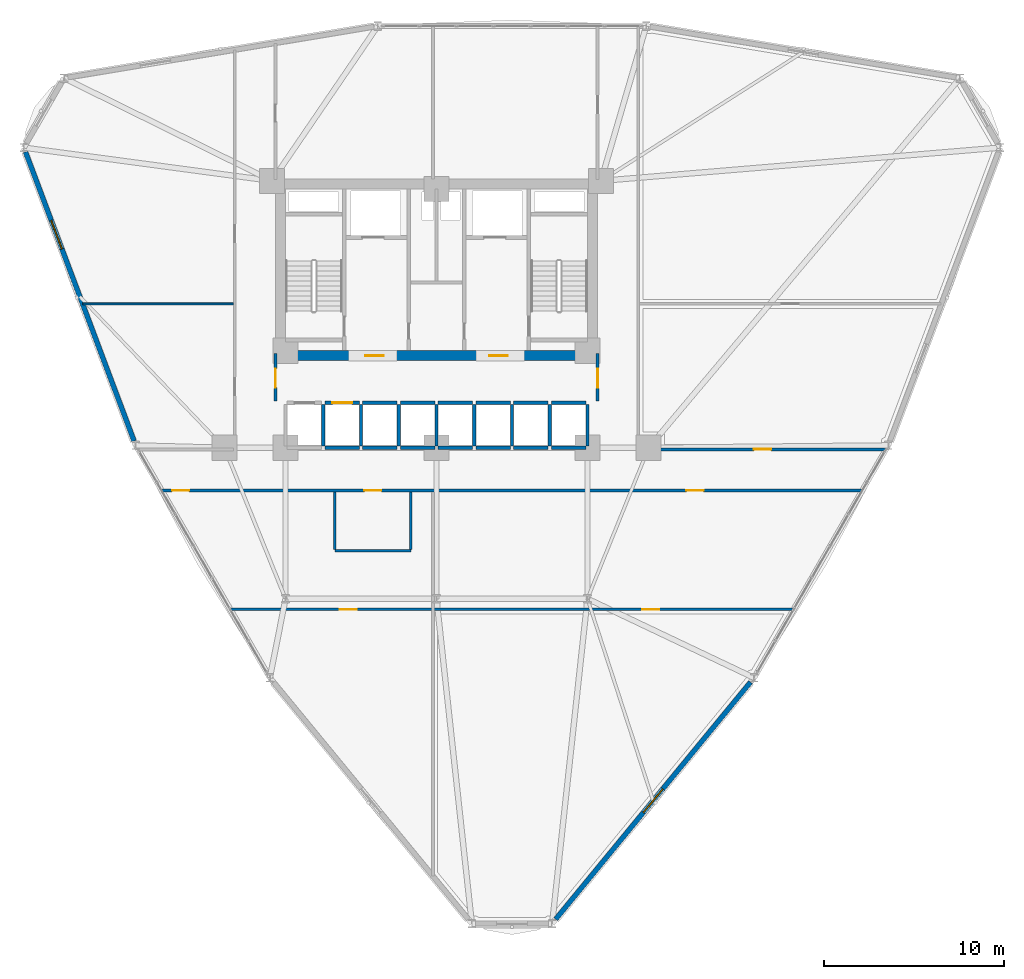
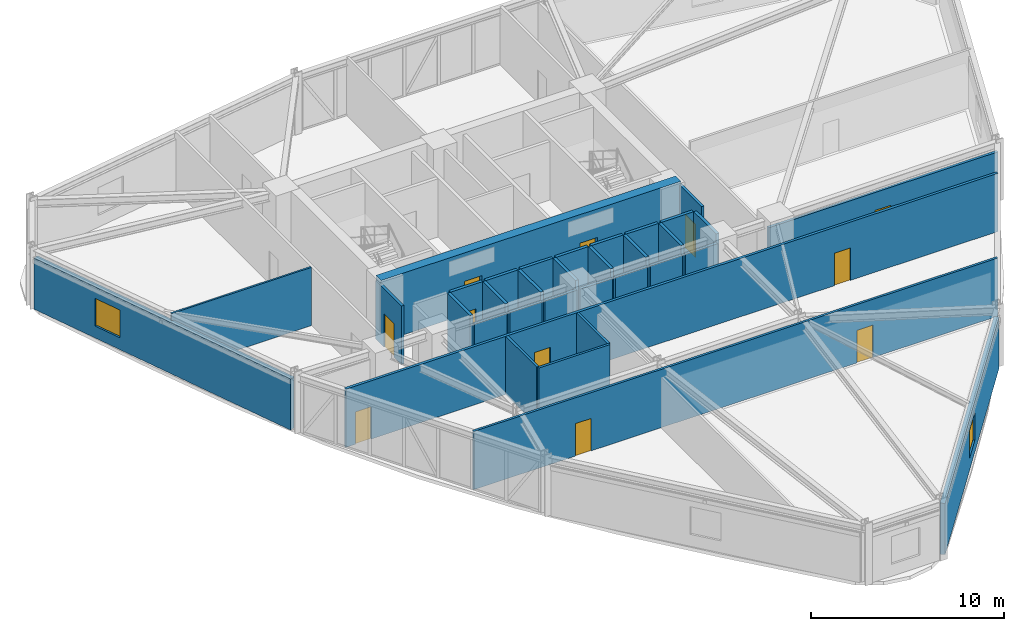
# One storey, part 14 of 20: 34 walls, 11 doors, 2 windows, 13 openings.
"""IFC4 building model written with IfcOpenShell, lengths in metres."""

import ifcopenshell
import ifcopenshell.guid

model = None  # the IFC model being written
_history = None  # IfcOwnerHistory: only IFC2X3 demands one
_inside = {}  # id of a spatial element -> (the spatial element, [elements in it])
_under = {}  # id of a project, library or spatial element -> (it, [spatial elements below it])
_declared = {}  # id of a project -> (the project, [libraries it declares])
_typed = {}  # id of a type object -> (the type object, [elements of that type])
_made_of = {}  # id of a material, layer set ... -> (it, [elements and type objects made of it])


def new_model(schema):
    """Start an empty IFC model of exactly this schema.

    Asked for "IFC4X3", IfcOpenShell would pick the latest addendum, in which some entities
    have other attributes; the version numbers below select the first issue.
    IFC2X3 requires an IfcOwnerHistory on every rooted entity: one is made here for all.
    """
    global model, _history
    if schema == "IFC4X3":
        model = ifcopenshell.file(schema_version=(4, 3, 0, 0))
    else:
        model = ifcopenshell.file(schema=schema)
    _inside.clear()
    _under.clear()
    _declared.clear()
    _typed.clear()
    _made_of.clear()
    _history = None
    if model.schema == "IFC2X3":
        org = make("IfcOrganization", Name="unknown")
        user = make(
            "IfcPersonAndOrganization",
            ThePerson=make("IfcPerson", FamilyName="unknown"),
            TheOrganization=org,
        )
        app = make(
            "IfcApplication",
            ApplicationDeveloper=org,
            Version="unknown",
            ApplicationFullName="unknown",
            ApplicationIdentifier="unknown",
        )
        _history = make(
            "IfcOwnerHistory",
            OwningUser=user,
            OwningApplication=app,
            ChangeAction="ADDED",
            CreationDate=0,
        )
    return model


def make(cls, **values):
    """One entity of the class cls with the attributes given. An attribute that is None is left unset."""
    return model.create_entity(
        cls, **{name: value for name, value in values.items() if value is not None}
    )


def rooted(cls, **values):
    """An entity with a GlobalId (a new one), such as an element, a storey or a relation."""
    return make(cls, GlobalId=ifcopenshell.guid.new(), OwnerHistory=_history, **values)


def si_unit(unit_type, name, prefix=None):
    """IfcSIUnit, for example si_unit("LENGTHUNIT", "METRE", prefix="MILLI")."""
    return make("IfcSIUnit", UnitType=unit_type, Prefix=prefix, Name=name)


def derived_unit(unit_type, elements):
    """IfcDerivedUnit: a product of units, each with its exponent."""
    return make(
        "IfcDerivedUnit",
        Elements=[
            make("IfcDerivedUnitElement", Unit=unit, Exponent=power)
            for unit, power in elements
        ],
        UnitType=unit_type,
    )


def assignment(units):
    """IfcUnitAssignment: the units of a project."""
    return None if units is None else make("IfcUnitAssignment", Units=units)


def point(xyz):
    """IfcCartesianPoint."""
    return None if xyz is None else make("IfcCartesianPoint", Coordinates=xyz)


def direction(xyz):
    """IfcDirection."""
    return None if xyz is None else make("IfcDirection", DirectionRatios=xyz)


def frame(location, z_axis=None, x_axis=None):
    """IfcAxis2Placement3D, a coordinate frame: its origin and axes. An axis left out is left unset."""
    return make(
        "IfcAxis2Placement3D",
        Location=point(location),
        Axis=direction(z_axis),
        RefDirection=direction(x_axis),
    )


def frame_2d(location, x_axis=None):
    """IfcAxis2Placement2D, a coordinate frame in the plane: its origin and x axis."""
    return make(
        "IfcAxis2Placement2D", Location=point(location), RefDirection=direction(x_axis)
    )


def origin():
    """The frame at (0, 0, 0) with its axes left unset."""
    return frame((0.0, 0.0, 0.0))


def place(relative_to, where):
    """IfcLocalPlacement: puts the frame where relative to a parent placement (None: the world)."""
    return make(
        "IfcLocalPlacement", PlacementRelTo=relative_to, RelativePlacement=where
    )


def context(
    kind, dimensions, precision=None, world=None, true_north=None, identifier=None
):
    """IfcGeometricRepresentationContext, for example the 3D "Model" context."""
    return make(
        "IfcGeometricRepresentationContext",
        ContextIdentifier=identifier,
        ContextType=kind,
        CoordinateSpaceDimension=dimensions,
        Precision=precision,
        WorldCoordinateSystem=world,
        TrueNorth=true_north,
    )


def subcontext(parent, identifier, kind, view, scale=None):
    """IfcGeometricRepresentationSubContext, for example "Body" below "Model"."""
    return make(
        "IfcGeometricRepresentationSubContext",
        ContextIdentifier=identifier,
        ContextType=kind,
        ParentContext=parent,
        TargetScale=scale,
        TargetView=view,
    )


def project(units=None, contexts=None):
    """IfcProject with its units and contexts."""
    return rooted(
        "IfcProject",
        Name="project",
        RepresentationContexts=contexts,
        UnitsInContext=assignment(units),
    )


def spatial(cls, under=None, at=None, **own):
    """A site, building, storey or space (cls), placed at a placement, below another one or the project."""
    s = rooted(cls, ObjectPlacement=at, **own)
    if under is not None:
        _under.setdefault(under.id(), (under, []))[1].append(s)
    return s


def profile(cls, at=None, kind="AREA", **sizes):
    """A parametric profile (cls). Its sizes go by their IFC names, for example OverallWidth=200.0."""
    return make(cls, ProfileType=kind, Position=at, **sizes)


def rectangle(**sizes):
    """IfcRectangleProfileDef."""
    return profile("IfcRectangleProfileDef", **sizes)


def extrude(swept, where, along, depth):
    """IfcExtrudedAreaSolid: the profile swept, set in the frame where, extruded along a direction by depth."""
    return make(
        "IfcExtrudedAreaSolid",
        SweptArea=swept,
        Position=where,
        ExtrudedDirection=direction(along),
        Depth=depth,
    )


def shape(context_of_items, identifier, shape_type, items):
    """IfcShapeRepresentation: the items that make up one representation, for example the "Body"."""
    return make(
        "IfcShapeRepresentation",
        ContextOfItems=context_of_items,
        RepresentationIdentifier=identifier,
        RepresentationType=shape_type,
        Items=items,
    )


def material(Name=None, Category=None):
    """IfcMaterial."""
    return make("IfcMaterial", Name=Name, Category=Category)


def layer(
    of_material, thickness, ventilated=None, Name=None, Category=None, Priority=None
):
    """IfcMaterialLayer: one layer of a wall or slab, of a material (None: an air gap)."""
    return make(
        "IfcMaterialLayer",
        Material=of_material,
        LayerThickness=thickness,
        IsVentilated=ventilated,
        Name=Name,
        Category=Category,
        Priority=Priority,
    )


def layer_set(layers, Name=None):
    """IfcMaterialLayerSet."""
    return make("IfcMaterialLayerSet", MaterialLayers=layers, LayerSetName=Name)


def made_of(thing, what):
    """Note that an element or type object is made of a material, layer set ...; save() writes the relation."""
    if what is not None:
        _made_of.setdefault(what.id(), (what, []))[1].append(thing)
    return thing


def type_object(cls, material=None, **own):
    """A type object (cls), such as IfcWallType, which elements share."""
    return made_of(rooted(cls, **own), material)


def element(
    cls,
    number,
    at=None,
    inside=None,
    cuts=None,
    type_object=None,
    material=None,
    context=None,
    identifier="Body",
    shape_type=None,
    held_by="IfcProductDefinitionShape",
    body=None,
    shapes=None,
    **own,
):
    """One element of the class cls, such as IfcWall. Its Tag is "e" and its number.

    at: its placement. inside: the storey or other place that contains it. cuts: it is an
    opening in that element (IfcRelVoidsElement). A single representation is given by context,
    identifier, shape_type and body (its items); several are given by shapes. held_by: the class
    of the entity that holds the representations. save() writes the other relations.
    """
    e = rooted(cls, Tag="e%d" % number, ObjectPlacement=at, **own)
    if body is not None:
        shapes = [shape(context, identifier, shape_type, body)]
    if shapes is not None:
        e.Representation = make(held_by, Representations=shapes)
    if inside is not None:
        _inside.setdefault(inside.id(), (inside, []))[1].append(e)
    if cuts is not None:
        rooted(
            "IfcRelVoidsElement", RelatingBuildingElement=cuts, RelatedOpeningElement=e
        )
    if type_object is not None:
        _typed.setdefault(type_object.id(), (type_object, []))[1].append(e)
    return made_of(e, material)


def fill(opening, filler):
    """IfcRelFillsElement: the door or window that sits in an opening."""
    return rooted(
        "IfcRelFillsElement",
        RelatingOpeningElement=opening,
        RelatedBuildingElement=filler,
    )


def aggregate(whole, parts):
    """IfcRelAggregates: a whole, such as a stair, and the parts it consists of."""
    return rooted("IfcRelAggregates", RelatingObject=whole, RelatedObjects=parts)


def save(model, path):
    """Write the relations noted so far, then the file.

    IfcRelAggregates (storeys below a building ...), IfcRelContainedInSpatialStructure (elements
    in a storey), IfcRelDefinesByType, IfcRelAssociatesMaterial and IfcRelDeclares: one each for
    every whole, place, type object, material and project.
    """
    for whole, parts in _under.values():
        aggregate(whole, parts)
    for where, things in _inside.values():
        rooted(
            "IfcRelContainedInSpatialStructure",
            RelatedElements=things,
            RelatingStructure=where,
        )
    for kind, things in _typed.values():
        rooted("IfcRelDefinesByType", RelatedObjects=things, RelatingType=kind)
    for what, things in _made_of.values():
        rooted("IfcRelAssociatesMaterial", RelatedObjects=things, RelatingMaterial=what)
    for by, libraries in _declared.values():
        rooted("IfcRelDeclares", RelatingContext=by, RelatedDefinitions=libraries)
    model.write(path)


model = new_model("IFC4")

# Units and contexts
model_context = context("Model", 3, precision=1e-05, world=origin(), true_north=direction((0.0, 1.0)))
body_context = subcontext(model_context, "Body", "Model", "MODEL_VIEW")
ifc_project = project(units=[si_unit("LENGTHUNIT", "METRE"), si_unit("AREAUNIT", "SQUARE_METRE"), si_unit("VOLUMEUNIT", "CUBIC_METRE"), si_unit("PLANEANGLEUNIT", "RADIAN"), si_unit("MASSUNIT", "GRAM", prefix="KILO"), derived_unit("THERMALTRANSMITTANCEUNIT", [(si_unit("POWERUNIT", "WATT"), 1), (si_unit("LENGTHUNIT", "METRE"), -2), (si_unit("THERMODYNAMICTEMPERATUREUNIT", "KELVIN"), -1)])], contexts=[model_context])

# Site, building, storey
site_placement = place(None, origin())
site = spatial("IfcSite", under=ifc_project, at=site_placement, CompositionType="ELEMENT")
building_placement = place(site_placement, origin())
building = spatial("IfcBuilding", under=site, at=building_placement, Name="Korsvarv Bourse and Concert Hall", CompositionType="ELEMENT")
storey_placement = place(building_placement, frame((0.0, 0.0, 75.60009765625)))
storey = spatial("IfcBuildingStorey", under=building, at=storey_placement, Name="L18", CompositionType="ELEMENT", Elevation=75.60009765625)

# Wall, openings, doors
ifc_material_1 = material(Name="Concrete C60/75", Category="concrete")
ifc_layer_1 = layer(ifc_material_1, 0.550048828125)
ifc_layer_set_1 = layer_set([ifc_layer_1], Name="Concrete C60/75")
wall_type_1 = type_object("IfcWallType", Name="WL-CORE-550", PredefinedType="SHEAR", material=ifc_layer_set_1)
wall_1_placement = place(storey_placement, frame((27.050048828125, 37.52490234375, 0.0), z_axis=(0.0, 0.0, 1.0), x_axis=(1.0, 0.0, 0.0)))
wall_1 = element("IfcWall", 1, at=wall_1_placement, inside=storey, type_object=wall_type_1, Name="L18 South Core Shear Wall", PredefinedType="SHEAR", context=body_context, shape_type="SweptSolid", body=[
    extrude(rectangle(XDim=17.89990234375, YDim=0.550048828125, at=frame_2d((8.949951171875, 0.0))), origin(), (0.0, 0.0, 1.0), 3.89990234375),
])
opening_1_placement = place(wall_1_placement, frame((4.97509765625, 0.0, 0.0)))
opening_1 = element("IfcOpeningElement", 2, at=opening_1_placement, cuts=wall_1, Name="Opening D-01", PredefinedType="OPENING", context=body_context, shape_type="SweptSolid", body=[
    extrude(rectangle(XDim=1.050048828125, YDim=2.10009765625, at=frame_2d((0.52490234375, 1.050048828125))), frame((0.0, 0.28515625, 0.0), z_axis=(0.0, -1.0, 0.0), x_axis=(1.0, 0.0, 0.0)), (0.0, 0.0, 1.0), 0.570068359375),
])
opening_2_placement = place(wall_1_placement, frame((11.875, 0.0, 0.0)))
opening_2 = element("IfcOpeningElement", 3, at=opening_2_placement, cuts=wall_1, Name="Opening D-01", PredefinedType="OPENING", context=body_context, shape_type="SweptSolid", body=[
    extrude(rectangle(XDim=1.050048828125, YDim=2.10009765625, at=frame_2d((0.52490234375, 1.050048828125))), frame((0.0, 0.28515625, 0.0), z_axis=(0.0, -1.0, 0.0), x_axis=(1.0, 0.0, 0.0)), (0.0, 0.0, 1.0), 0.570068359375),
])
ifc_material_2 = material(Name="Steel S355 fire door", Category="steel")
door_type_1 = type_object("IfcDoorType", Name="DR-FD60", OperationType="NOTDEFINED", PredefinedType="DOOR", material=ifc_material_2)
door_1_placement = place(opening_1_placement, frame((1.050048828125, 0.0, 0.0), z_axis=(0.0, 0.0, 1.0), x_axis=(-1.0, 0.0, 0.0)))
door_1 = element("IfcDoor", 4, at=door_1_placement, inside=storey, type_object=door_type_1, Name="L18 firefighting lobby fire door DR-L18-FFLW", OperationType="SINGLE_SWING_LEFT", OverallHeight=2.10009765625, OverallWidth=1.050048828125, PredefinedType="DOOR", context=body_context, shape_type="SweptSolid", body=[
    extrude(rectangle(XDim=1.050048828125, YDim=2.10009765625, at=frame_2d((0.52490234375, 1.050048828125))), frame((0.0, 0.02490234375, 0.0), z_axis=(0.0, -1.0, 0.0), x_axis=(1.0, 0.0, 0.0)), (0.0, 0.0, 1.0), 0.050048828125),
])
fill(opening_1, door_1)
door_2_placement = place(opening_2_placement, frame((1.050048828125, 0.0, 0.0), z_axis=(0.0, 0.0, 1.0), x_axis=(-1.0, 0.0, 0.0)))
door_2 = element("IfcDoor", 5, at=door_2_placement, inside=storey, type_object=door_type_1, Name="L18 firefighting lobby fire door DR-L18-FFLE", OperationType="SINGLE_SWING_RIGHT", OverallHeight=2.10009765625, OverallWidth=1.050048828125, PredefinedType="DOOR", context=body_context, shape_type="SweptSolid", body=[
    extrude(rectangle(XDim=1.050048828125, YDim=2.10009765625, at=frame_2d((0.52490234375, 1.050048828125))), frame((0.0, 0.02490234375, 0.0), z_axis=(0.0, -1.0, 0.0), x_axis=(1.0, 0.0, 0.0)), (0.0, 0.0, 1.0), 0.050048828125),
])
fill(opening_2, door_2)

# Wall, opening, window
ifc_material_3 = material(Name="Precast concrete C45/55 with fluted terracotta pier", Category="concrete")
ifc_layer_2 = layer(ifc_material_3, 0.280029296875)
ifc_layer_set_2 = layer_set([ifc_layer_2], Name="Precast concrete C45/55 with fluted terracotta pier")
wall_type_2 = type_object("IfcWallType", Name="WL-EXT-TC2", PredefinedType="SOLIDWALL", material=ifc_layer_set_2)
wall_2_placement = place(storey_placement, frame((13.128662109375, 48.860107421875, 0.0), z_axis=(0.0, 0.0, 1.0), x_axis=(0.351559441404, -0.936165561832, 0.0)))
wall_2 = element("IfcWall", 6, at=wall_2_placement, inside=storey, type_object=wall_type_2, Name="L18 terracotta exterior wall EW-L18-B06", PredefinedType="SOLIDWALL", context=body_context, shape_type="SweptSolid", body=[
    extrude(rectangle(XDim=17.1806640625, YDim=0.280029296875, at=frame_2d((8.59033203125, 0.0))), origin(), (0.0, 0.0, 1.0), 3.22998046875),
])
opening_3_placement = place(wall_2_placement, frame((4.0703125, 0.0, 0.75)))
opening_3 = element("IfcOpeningElement", 7, at=opening_3_placement, cuts=wall_2, Name="Opening W-01", PredefinedType="OPENING", context=body_context, shape_type="SweptSolid", body=[
    extrude(rectangle(XDim=1.699951171875, YDim=1.75, at=frame_2d((0.85009765625, 0.875))), frame((0.0, 0.14990234375, 0.0), z_axis=(0.0, -1.0, 0.0), x_axis=(1.0, 0.0, 0.0)), (0.0, 0.0, 1.0), 0.300048828125),
])
ifc_material_4 = material(Name="Thermally broken aluminium frame with triple low-E glass", Category="glass")
window_type = type_object("IfcWindowType", Name="WIN-TW1", PartitioningType="SINGLE_PANEL", PredefinedType="WINDOW", material=ifc_material_4)
window_1_placement = place(opening_3_placement, origin())
window_1 = element("IfcWindow", 8, at=window_1_placement, inside=storey, type_object=window_type, Name="L18 punched facade window W-01", OverallHeight=1.75, OverallWidth=1.699951171875, PartitioningType="SINGLE_PANEL", PredefinedType="WINDOW", context=body_context, shape_type="SweptSolid", body=[
    extrude(rectangle(XDim=1.699951171875, YDim=1.75, at=frame_2d((0.85009765625, 0.875))), frame((0.0, 0.030029296875, 0.0), z_axis=(0.0, -1.0, 0.0), x_axis=(1.0, 0.0, 0.0)), (0.0, 0.0, 1.0), 0.06005859375),
])
fill(opening_3, window_1)

wall_3_placement = place(storey_placement, frame((42.633056640625, 6.167724609375, 0.0), z_axis=(0.0, 0.0, 1.0), x_axis=(0.634956540438, 0.772547857259, 0.0)))
wall_3 = element("IfcWall", 9, at=wall_3_placement, inside=storey, type_object=wall_type_2, Name="L18 terracotta exterior wall EW-L18-B10", PredefinedType="SOLIDWALL", context=body_context, shape_type="SweptSolid", body=[
    extrude(rectangle(XDim=17.0712890625, YDim=0.280029296875, at=frame_2d((8.53564453125, 0.0))), origin(), (0.0, 0.0, 1.0), 3.22998046875),
])
opening_4_placement = place(wall_3_placement, frame((7.685546875, 0.0, 0.75)))
opening_4 = element("IfcOpeningElement", 10, at=opening_4_placement, cuts=wall_3, Name="Opening W-01", PredefinedType="OPENING", context=body_context, shape_type="SweptSolid", body=[
    extrude(rectangle(XDim=1.699951171875, YDim=1.75, at=frame_2d((0.85009765625, 0.875))), frame((0.0, 0.14990234375, 0.0), z_axis=(0.0, -1.0, 0.0), x_axis=(1.0, 0.0, 0.0)), (0.0, 0.0, 1.0), 0.300048828125),
])
window_2_placement = place(opening_4_placement, origin())
window_2 = element("IfcWindow", 11, at=window_2_placement, inside=storey, type_object=window_type, Name="L18 punched facade window W-01", OverallHeight=1.75, OverallWidth=1.699951171875, PartitioningType="SINGLE_PANEL", PredefinedType="WINDOW", context=body_context, shape_type="SweptSolid", body=[
    extrude(rectangle(XDim=1.699951171875, YDim=1.75, at=frame_2d((0.85009765625, 0.875))), frame((0.0, 0.030029296875, 0.0), z_axis=(0.0, -1.0, 0.0), x_axis=(1.0, 0.0, 0.0)), (0.0, 0.0, 1.0), 0.06005859375),
])
fill(opening_4, window_2)

# Wall, opening, door
ifc_material_5 = material(Name="Double-stud fire-rated acoustic partition", Category="gypsum")
ifc_layer_3 = layer(ifc_material_5, 0.159912109375)
ifc_layer_set_3 = layer_set([ifc_layer_3], Name="Double-stud fire-rated acoustic partition")
wall_type_3 = type_object("IfcWallType", Name="WL-INT-EI60", PredefinedType="PARTITIONING", material=ifc_layer_set_3)
wall_4_placement = place(storey_placement, frame((27.0400390625, 35.0, 0.0), z_axis=(0.0, 0.0, 1.0), x_axis=(0.0, 1.0, 0.0)))
wall_4 = element("IfcWall", 12, at=wall_4_placement, inside=storey, type_object=wall_type_3, Name="L18 interior partition wall W-L18-LOB-W", PredefinedType="PARTITIONING", context=body_context, shape_type="SweptSolid", body=[
    extrude(rectangle(XDim=2.64990234375, YDim=0.159912109375, at=frame_2d((1.324951171875, 0.0))), origin(), (0.0, 0.0, 1.0), 3.679931640625),
])
opening_5_placement = place(wall_4_placement, frame((0.75, 0.0, 0.0)))
opening_5 = element("IfcOpeningElement", 13, at=opening_5_placement, cuts=wall_4, Name="Opening D-01", PredefinedType="OPENING", context=body_context, shape_type="SweptSolid", body=[
    extrude(rectangle(XDim=1.050048828125, YDim=2.10009765625, at=frame_2d((0.52490234375, 1.050048828125))), frame((0.0, 0.08984375, 0.0), z_axis=(0.0, -1.0, 0.0), x_axis=(1.0, 0.0, 0.0)), (0.0, 0.0, 1.0), 0.179931640625),
])
door_3_placement = place(opening_5_placement, frame((1.050048828125, 0.0, 0.0), z_axis=(0.0, 0.0, 1.0), x_axis=(-1.0, 0.0, 0.0)))
door_3 = element("IfcDoor", 14, at=door_3_placement, inside=storey, type_object=door_type_1, Name="L18 interior door DR-L18-LOBW", OperationType="SINGLE_SWING_RIGHT", OverallHeight=2.10009765625, OverallWidth=1.050048828125, PredefinedType="DOOR", context=body_context, shape_type="SweptSolid", body=[
    extrude(rectangle(XDim=1.050048828125, YDim=2.10009765625, at=frame_2d((0.52490234375, 1.050048828125))), frame((0.0, 0.02490234375, 0.0), z_axis=(0.0, -1.0, 0.0), x_axis=(1.0, 0.0, 0.0)), (0.0, 0.0, 1.0), 0.050048828125),
])
fill(opening_5, door_3)

wall_5_placement = place(storey_placement, frame((44.9599609375, 35.0, 0.0), z_axis=(0.0, 0.0, 1.0), x_axis=(0.0, 1.0, 0.0)))
wall_5 = element("IfcWall", 15, at=wall_5_placement, inside=storey, type_object=wall_type_3, Name="L18 interior partition wall W-L18-LOB-E", PredefinedType="PARTITIONING", context=body_context, shape_type="SweptSolid", body=[
    extrude(rectangle(XDim=2.64990234375, YDim=0.159912109375, at=frame_2d((1.324951171875, 0.0))), origin(), (0.0, 0.0, 1.0), 3.679931640625),
])
opening_6_placement = place(wall_5_placement, frame((0.75, 0.0, 0.0)))
opening_6 = element("IfcOpeningElement", 16, at=opening_6_placement, cuts=wall_5, Name="Opening D-01", PredefinedType="OPENING", context=body_context, shape_type="SweptSolid", body=[
    extrude(rectangle(XDim=1.050048828125, YDim=2.10009765625, at=frame_2d((0.52490234375, 1.050048828125))), frame((0.0, 0.08984375, 0.0), z_axis=(0.0, -1.0, 0.0), x_axis=(1.0, 0.0, 0.0)), (0.0, 0.0, 1.0), 0.179931640625),
])
door_4_placement = place(opening_6_placement, origin())
door_4 = element("IfcDoor", 17, at=door_4_placement, inside=storey, type_object=door_type_1, Name="L18 interior door DR-L18-LOBE", OperationType="SINGLE_SWING_LEFT", OverallHeight=2.10009765625, OverallWidth=1.050048828125, PredefinedType="DOOR", context=body_context, shape_type="SweptSolid", body=[
    extrude(rectangle(XDim=1.050048828125, YDim=2.10009765625, at=frame_2d((0.52490234375, 1.050048828125))), frame((0.0, 0.02490234375, 0.0), z_axis=(0.0, -1.0, 0.0), x_axis=(1.0, 0.0, 0.0)), (0.0, 0.0, 1.0), 0.050048828125),
])
fill(opening_6, door_4)

# Wall, openings, doors
wall_6_placement = place(storey_placement, frame((20.728515625, 30.02490234375, 0.0), z_axis=(0.0, 0.0, 1.0), x_axis=(1.0, 0.0, 0.0)))
wall_6 = element("IfcWall", 18, at=wall_6_placement, inside=storey, type_object=wall_type_3, Name="L18 interior partition wall W-L18-TCOR-01", PredefinedType="PARTITIONING", context=body_context, shape_type="SweptSolid", body=[
    extrude(rectangle(XDim=38.943115234375, YDim=0.159912109375, at=frame_2d((19.4716796875, 0.0))), origin(), (0.0, 0.0, 1.0), 3.679931640625),
])
opening_7_placement = place(wall_6_placement, frame((11.256591796875, 0.0, 0.0)))
opening_7 = element("IfcOpeningElement", 19, at=opening_7_placement, cuts=wall_6, Name="Opening D-02", PredefinedType="OPENING", context=body_context, shape_type="SweptSolid", body=[
    extrude(rectangle(XDim=0.949951171875, YDim=2.050048828125, at=frame_2d((0.47509765625, 1.02490234375))), frame((0.0, 0.08984375, 0.0), z_axis=(0.0, -1.0, 0.0), x_axis=(1.0, 0.0, 0.0)), (0.0, 0.0, 1.0), 0.179931640625),
])
opening_8_placement = place(wall_6_placement, frame((0.561279296875, 0.0, 0.0)))
opening_8 = element("IfcOpeningElement", 20, at=opening_8_placement, cuts=wall_6, Name="Opening D-02", PredefinedType="OPENING", context=body_context, shape_type="SweptSolid", body=[
    extrude(rectangle(XDim=0.949951171875, YDim=2.050048828125, at=frame_2d((0.47509765625, 1.02490234375))), frame((0.0, 0.08984375, 0.0), z_axis=(0.0, -1.0, 0.0), x_axis=(1.0, 0.0, 0.0)), (0.0, 0.0, 1.0), 0.179931640625),
])
opening_9_placement = place(wall_6_placement, frame((29.177490234375, 0.0, 0.0)))
opening_9 = element("IfcOpeningElement", 21, at=opening_9_placement, cuts=wall_6, Name="Opening D-02", PredefinedType="OPENING", context=body_context, shape_type="SweptSolid", body=[
    extrude(rectangle(XDim=0.949951171875, YDim=2.050048828125, at=frame_2d((0.47509765625, 1.02490234375))), frame((0.0, 0.08984375, 0.0), z_axis=(0.0, -1.0, 0.0), x_axis=(1.0, 0.0, 0.0)), (0.0, 0.0, 1.0), 0.179931640625),
])
ifc_material_6 = material(Name="Timber and steel acoustic fire door", Category="wood")
door_type_2 = type_object("IfcDoorType", Name="DR-FD30", OperationType="NOTDEFINED", PredefinedType="DOOR", material=ifc_material_6)
door_5_placement = place(opening_7_placement, origin())
door_5 = element("IfcDoor", 22, at=door_5_placement, inside=storey, type_object=door_type_2, Name="L18 interior door DR-L18-TCOR-RWC", OperationType="SINGLE_SWING_RIGHT", OverallHeight=2.050048828125, OverallWidth=0.949951171875, PredefinedType="DOOR", context=body_context, shape_type="SweptSolid", body=[
    extrude(rectangle(XDim=0.949951171875, YDim=2.050048828125, at=frame_2d((0.47509765625, 1.02490234375))), frame((0.0, 0.02490234375, 0.0), z_axis=(0.0, -1.0, 0.0), x_axis=(1.0, 0.0, 0.0)), (0.0, 0.0, 1.0), 0.050048828125),
])
fill(opening_7, door_5)
door_6_placement = place(opening_8_placement, origin())
door_6 = element("IfcDoor", 23, at=door_6_placement, inside=storey, type_object=door_type_2, Name="L18 interior door DR-L18-TCOR-ACW5", OperationType="SINGLE_SWING_LEFT", OverallHeight=2.050048828125, OverallWidth=0.949951171875, PredefinedType="DOOR", context=body_context, shape_type="SweptSolid", body=[
    extrude(rectangle(XDim=0.949951171875, YDim=2.050048828125, at=frame_2d((0.47509765625, 1.02490234375))), frame((0.0, 0.02490234375, 0.0), z_axis=(0.0, -1.0, 0.0), x_axis=(1.0, 0.0, 0.0)), (0.0, 0.0, 1.0), 0.050048828125),
])
fill(opening_8, door_6)
door_7_placement = place(opening_9_placement, origin())
door_7 = element("IfcDoor", 24, at=door_7_placement, inside=storey, type_object=door_type_2, Name="L18 interior door DR-L18-TCOR-ACE6", OperationType="SINGLE_SWING_RIGHT", OverallHeight=2.050048828125, OverallWidth=0.949951171875, PredefinedType="DOOR", context=body_context, shape_type="SweptSolid", body=[
    extrude(rectangle(XDim=0.949951171875, YDim=2.050048828125, at=frame_2d((0.47509765625, 1.02490234375))), frame((0.0, 0.02490234375, 0.0), z_axis=(0.0, -1.0, 0.0), x_axis=(1.0, 0.0, 0.0)), (0.0, 0.0, 1.0), 0.050048828125),
])
fill(opening_9, door_7)

# Wall, opening, door
wall_7_placement = place(storey_placement, frame((47.306884765625, 32.31494140625, 0.0), z_axis=(0.0, 0.0, 1.0), x_axis=(1.0, 0.0, 0.0)))
wall_7 = element("IfcWall", 25, at=wall_7_placement, inside=storey, type_object=wall_type_3, Name="L18 interior partition wall W-L18-TCOR-04", PredefinedType="PARTITIONING", context=body_context, shape_type="SweptSolid", body=[
    extrude(rectangle(XDim=13.686767578125, YDim=0.159912109375, at=frame_2d((6.84326171875, 0.0))), origin(), (0.0, 0.0, 1.0), 3.179931640625),
])
opening_10_placement = place(wall_7_placement, frame((6.354248046875, 0.0, 0.0)))
opening_10 = element("IfcOpeningElement", 26, at=opening_10_placement, cuts=wall_7, Name="Opening D-02", PredefinedType="OPENING", context=body_context, shape_type="SweptSolid", body=[
    extrude(rectangle(XDim=0.949951171875, YDim=2.050048828125, at=frame_2d((0.47509765625, 1.02490234375))), frame((0.0, 0.08984375, 0.0), z_axis=(0.0, -1.0, 0.0), x_axis=(1.0, 0.0, 0.0)), (0.0, 0.0, 1.0), 0.179931640625),
])
door_8_placement = place(opening_10_placement, origin())
door_8 = element("IfcDoor", 27, at=door_8_placement, inside=storey, type_object=door_type_2, Name="L18 interior door DR-L18-TCOR-NEL1", OperationType="SINGLE_SWING_LEFT", OverallHeight=2.050048828125, OverallWidth=0.949951171875, PredefinedType="DOOR", context=body_context, shape_type="SweptSolid", body=[
    extrude(rectangle(XDim=0.949951171875, YDim=2.050048828125, at=frame_2d((0.47509765625, 1.02490234375))), frame((0.0, 0.02490234375, 0.0), z_axis=(0.0, -1.0, 0.0), x_axis=(1.0, 0.0, 0.0)), (0.0, 0.0, 1.0), 0.050048828125),
])
fill(opening_10, door_8)

ifc_material_7 = material(Name="Gypsum-clad autoclaved concrete shaft wall C30/37", Category="concrete")
ifc_layer_4 = layer(ifc_material_7, 0.179931640625)
ifc_layer_set_4 = layer_set([ifc_layer_4], Name="Gypsum-clad autoclaved concrete shaft wall C30/37")
wall_type_4 = type_object("IfcWallType", Name="WL-INT-EI90", PredefinedType="PARTITIONING", material=ifc_layer_set_4)
wall_8_placement = place(storey_placement, frame((29.7900390625, 34.89990234375, 0.0), z_axis=(0.0, 0.0, 1.0), x_axis=(1.0, 0.0, 0.0)))
wall_8 = element("IfcWall", 28, at=wall_8_placement, inside=storey, type_object=wall_type_4, Name="L18 interior partition wall W-L18-SHFN-PL2", PredefinedType="PARTITIONING", context=body_context, shape_type="SweptSolid", body=[
    extrude(rectangle(XDim=1.919921875, YDim=0.179931640625, at=frame_2d((0.9599609375, 0.0))), origin(), (0.0, 0.0, 1.0), 3.679931640625),
])
opening_11_placement = place(wall_8_placement, frame((0.409912109375, 0.0, 0.0)))
opening_11 = element("IfcOpeningElement", 29, at=opening_11_placement, cuts=wall_8, Name="Opening LD-2", PredefinedType="OPENING", context=body_context, shape_type="SweptSolid", body=[
    extrude(rectangle(XDim=1.10009765625, YDim=2.10009765625, at=frame_2d((0.550048828125, 1.050048828125))), frame((0.0, 0.10009765625, 0.0), z_axis=(0.0, -1.0, 0.0), x_axis=(1.0, 0.0, 0.0)), (0.0, 0.0, 1.0), 0.199951171875),
])
ifc_material_8 = material(Name="Brushed stainless Steel S355 lift landing door", Category="steel")
door_type_3 = type_object("IfcDoorType", Name="DR-LIFT-P", OperationType="DOUBLE_DOOR_SLIDING", PredefinedType="DOOR", material=ifc_material_8)
door_9_placement = place(opening_11_placement, origin())
door_9 = element("IfcDoor", 30, at=door_9_placement, inside=storey, type_object=door_type_3, Name="L18 lift sliding landing door LD-L18-PL2", OperationType="DOUBLE_DOOR_SLIDING", OverallHeight=2.10009765625, OverallWidth=1.10009765625, PredefinedType="DOOR", context=body_context, shape_type="SweptSolid", body=[
    extrude(rectangle(XDim=1.10009765625, YDim=2.10009765625, at=frame_2d((0.550048828125, 1.050048828125))), frame((0.0, 0.02490234375, 0.0), z_axis=(0.0, -1.0, 0.0), x_axis=(1.0, 0.0, 0.0)), (0.0, 0.0, 1.0), 0.050048828125),
])
fill(opening_11, door_9)

# Walls
wall_9_placement = place(storey_placement, frame((29.7900390625, 32.39990234375, 0.0), z_axis=(0.0, 0.0, 1.0), x_axis=(1.0, 0.0, 0.0)))
element("IfcWall", 31, at=wall_9_placement, inside=storey, type_object=wall_type_4, Name="L18 interior partition wall W-L18-SHFS-PL2", PredefinedType="PARTITIONING", context=body_context, shape_type="SweptSolid", body=[
    extrude(rectangle(XDim=1.919921875, YDim=0.179931640625, at=frame_2d((0.9599609375, 0.0))), origin(), (0.0, 0.0, 1.0), 3.179931640625),
])
wall_10_placement = place(storey_placement, frame((29.699951171875, 32.489990234375, 0.0), z_axis=(0.0, 0.0, 1.0), x_axis=(0.0, 1.0, 0.0)))
element("IfcWall", 32, at=wall_10_placement, inside=storey, type_object=wall_type_4, Name="L18 interior partition wall W-L18-SHFW-PL2", PredefinedType="PARTITIONING", context=body_context, shape_type="SweptSolid", body=[
    extrude(rectangle(XDim=2.320068359375, YDim=0.179931640625, at=frame_2d((1.16015625, 0.0))), origin(), (0.0, 0.0, 1.0), 3.679931640625),
])
wall_11_placement = place(storey_placement, frame((31.889892578125, 34.89990234375, 0.0), z_axis=(0.0, 0.0, 1.0), x_axis=(1.0, 0.0, 0.0)))
element("IfcWall", 33, at=wall_11_placement, inside=storey, type_object=wall_type_4, Name="L18 interior partition wall W-L18-SHFN-PM1", PredefinedType="PARTITIONING", context=body_context, shape_type="SweptSolid", body=[
    extrude(rectangle(XDim=1.920166015625, YDim=0.179931640625, at=frame_2d((0.9599609375, 0.0))), origin(), (0.0, 0.0, 1.0), 3.679931640625),
])
wall_12_placement = place(storey_placement, frame((31.889892578125, 32.39990234375, 0.0), z_axis=(0.0, 0.0, 1.0), x_axis=(1.0, 0.0, 0.0)))
element("IfcWall", 34, at=wall_12_placement, inside=storey, type_object=wall_type_4, Name="L18 interior partition wall W-L18-SHFS-PM1", PredefinedType="PARTITIONING", context=body_context, shape_type="SweptSolid", body=[
    extrude(rectangle(XDim=1.920166015625, YDim=0.179931640625, at=frame_2d((0.9599609375, 0.0))), origin(), (0.0, 0.0, 1.0), 3.179931640625),
])
wall_13_placement = place(storey_placement, frame((31.800048828125, 32.489990234375, 0.0), z_axis=(0.0, 0.0, 1.0), x_axis=(0.0, 1.0, 0.0)))
element("IfcWall", 35, at=wall_13_placement, inside=storey, type_object=wall_type_4, Name="L18 interior partition wall W-L18-SHFW-PM1", PredefinedType="PARTITIONING", context=body_context, shape_type="SweptSolid", body=[
    extrude(rectangle(XDim=2.320068359375, YDim=0.179931640625, at=frame_2d((1.16015625, 0.0))), origin(), (0.0, 0.0, 1.0), 3.679931640625),
])
wall_14_placement = place(storey_placement, frame((33.989990234375, 34.89990234375, 0.0), z_axis=(0.0, 0.0, 1.0), x_axis=(1.0, 0.0, 0.0)))
element("IfcWall", 36, at=wall_14_placement, inside=storey, type_object=wall_type_4, Name="L18 interior partition wall W-L18-SHFN-PM2", PredefinedType="PARTITIONING", context=body_context, shape_type="SweptSolid", body=[
    extrude(rectangle(XDim=1.919921875, YDim=0.179931640625, at=frame_2d((0.9599609375, 0.0))), origin(), (0.0, 0.0, 1.0), 3.679931640625),
])
wall_15_placement = place(storey_placement, frame((33.989990234375, 32.39990234375, 0.0), z_axis=(0.0, 0.0, 1.0), x_axis=(1.0, 0.0, 0.0)))
element("IfcWall", 37, at=wall_15_placement, inside=storey, type_object=wall_type_4, Name="L18 interior partition wall W-L18-SHFS-PM2", PredefinedType="PARTITIONING", context=body_context, shape_type="SweptSolid", body=[
    extrude(rectangle(XDim=1.919921875, YDim=0.179931640625, at=frame_2d((0.9599609375, 0.0))), origin(), (0.0, 0.0, 1.0), 3.179931640625),
])
wall_16_placement = place(storey_placement, frame((33.89990234375, 32.489990234375, 0.0), z_axis=(0.0, 0.0, 1.0), x_axis=(0.0, 1.0, 0.0)))
element("IfcWall", 38, at=wall_16_placement, inside=storey, type_object=wall_type_4, Name="L18 interior partition wall W-L18-SHFW-PM2", PredefinedType="PARTITIONING", context=body_context, shape_type="SweptSolid", body=[
    extrude(rectangle(XDim=2.320068359375, YDim=0.179931640625, at=frame_2d((1.16015625, 0.0))), origin(), (0.0, 0.0, 1.0), 3.679931640625),
])
wall_17_placement = place(storey_placement, frame((36.090087890625, 34.89990234375, 0.0), z_axis=(0.0, 0.0, 1.0), x_axis=(1.0, 0.0, 0.0)))
element("IfcWall", 39, at=wall_17_placement, inside=storey, type_object=wall_type_4, Name="L18 interior partition wall W-L18-SHFN-PH1", PredefinedType="PARTITIONING", context=body_context, shape_type="SweptSolid", body=[
    extrude(rectangle(XDim=1.919921875, YDim=0.179931640625, at=frame_2d((0.9599609375, 0.0))), origin(), (0.0, 0.0, 1.0), 3.679931640625),
])
wall_18_placement = place(storey_placement, frame((36.090087890625, 32.39990234375, 0.0), z_axis=(0.0, 0.0, 1.0), x_axis=(1.0, 0.0, 0.0)))
element("IfcWall", 40, at=wall_18_placement, inside=storey, type_object=wall_type_4, Name="L18 interior partition wall W-L18-SHFS-PH1", PredefinedType="PARTITIONING", context=body_context, shape_type="SweptSolid", body=[
    extrude(rectangle(XDim=1.919921875, YDim=0.179931640625, at=frame_2d((0.9599609375, 0.0))), origin(), (0.0, 0.0, 1.0), 3.179931640625),
])
wall_19_placement = place(storey_placement, frame((36.0, 32.489990234375, 0.0), z_axis=(0.0, 0.0, 1.0), x_axis=(0.0, 1.0, 0.0)))
element("IfcWall", 41, at=wall_19_placement, inside=storey, type_object=wall_type_4, Name="L18 interior partition wall W-L18-SHFW-PH1", PredefinedType="PARTITIONING", context=body_context, shape_type="SweptSolid", body=[
    extrude(rectangle(XDim=2.320068359375, YDim=0.179931640625, at=frame_2d((1.16015625, 0.0))), origin(), (0.0, 0.0, 1.0), 3.679931640625),
])
wall_20_placement = place(storey_placement, frame((38.18994140625, 34.89990234375, 0.0), z_axis=(0.0, 0.0, 1.0), x_axis=(1.0, 0.0, 0.0)))
element("IfcWall", 42, at=wall_20_placement, inside=storey, type_object=wall_type_4, Name="L18 interior partition wall W-L18-SHFN-PH2", PredefinedType="PARTITIONING", context=body_context, shape_type="SweptSolid", body=[
    extrude(rectangle(XDim=1.920166015625, YDim=0.179931640625, at=frame_2d((0.9599609375, 0.0))), origin(), (0.0, 0.0, 1.0), 3.679931640625),
])
wall_21_placement = place(storey_placement, frame((38.18994140625, 32.39990234375, 0.0), z_axis=(0.0, 0.0, 1.0), x_axis=(1.0, 0.0, 0.0)))
element("IfcWall", 43, at=wall_21_placement, inside=storey, type_object=wall_type_4, Name="L18 interior partition wall W-L18-SHFS-PH2", PredefinedType="PARTITIONING", context=body_context, shape_type="SweptSolid", body=[
    extrude(rectangle(XDim=1.920166015625, YDim=0.179931640625, at=frame_2d((0.9599609375, 0.0))), origin(), (0.0, 0.0, 1.0), 3.179931640625),
])
wall_22_placement = place(storey_placement, frame((38.10009765625, 32.489990234375, 0.0), z_axis=(0.0, 0.0, 1.0), x_axis=(0.0, 1.0, 0.0)))
element("IfcWall", 44, at=wall_22_placement, inside=storey, type_object=wall_type_4, Name="L18 interior partition wall W-L18-SHFW-PH2", PredefinedType="PARTITIONING", context=body_context, shape_type="SweptSolid", body=[
    extrude(rectangle(XDim=2.320068359375, YDim=0.179931640625, at=frame_2d((1.16015625, 0.0))), origin(), (0.0, 0.0, 1.0), 3.679931640625),
])
wall_23_placement = place(storey_placement, frame((40.2900390625, 34.89990234375, 0.0), z_axis=(0.0, 0.0, 1.0), x_axis=(1.0, 0.0, 0.0)))
element("IfcWall", 45, at=wall_23_placement, inside=storey, type_object=wall_type_4, Name="L18 interior partition wall W-L18-SHFN-PO1", PredefinedType="PARTITIONING", context=body_context, shape_type="SweptSolid", body=[
    extrude(rectangle(XDim=1.919921875, YDim=0.179931640625, at=frame_2d((0.9599609375, 0.0))), origin(), (0.0, 0.0, 1.0), 3.679931640625),
])
wall_24_placement = place(storey_placement, frame((40.2900390625, 32.39990234375, 0.0), z_axis=(0.0, 0.0, 1.0), x_axis=(1.0, 0.0, 0.0)))
element("IfcWall", 46, at=wall_24_placement, inside=storey, type_object=wall_type_4, Name="L18 interior partition wall W-L18-SHFS-PO1", PredefinedType="PARTITIONING", context=body_context, shape_type="SweptSolid", body=[
    extrude(rectangle(XDim=1.919921875, YDim=0.179931640625, at=frame_2d((0.9599609375, 0.0))), origin(), (0.0, 0.0, 1.0), 3.179931640625),
])
wall_25_placement = place(storey_placement, frame((40.199951171875, 32.489990234375, 0.0), z_axis=(0.0, 0.0, 1.0), x_axis=(0.0, 1.0, 0.0)))
element("IfcWall", 47, at=wall_25_placement, inside=storey, type_object=wall_type_4, Name="L18 interior partition wall W-L18-SHFW-PO1", PredefinedType="PARTITIONING", context=body_context, shape_type="SweptSolid", body=[
    extrude(rectangle(XDim=2.320068359375, YDim=0.179931640625, at=frame_2d((1.16015625, 0.0))), origin(), (0.0, 0.0, 1.0), 3.679931640625),
])
wall_26_placement = place(storey_placement, frame((42.389892578125, 34.89990234375, 0.0), z_axis=(0.0, 0.0, 1.0), x_axis=(1.0, 0.0, 0.0)))
element("IfcWall", 48, at=wall_26_placement, inside=storey, type_object=wall_type_4, Name="L18 interior partition wall W-L18-SHFN-PO2", PredefinedType="PARTITIONING", context=body_context, shape_type="SweptSolid", body=[
    extrude(rectangle(XDim=1.920166015625, YDim=0.179931640625, at=frame_2d((0.9599609375, 0.0))), origin(), (0.0, 0.0, 1.0), 3.679931640625),
])
wall_27_placement = place(storey_placement, frame((42.389892578125, 32.39990234375, 0.0), z_axis=(0.0, 0.0, 1.0), x_axis=(1.0, 0.0, 0.0)))
element("IfcWall", 49, at=wall_27_placement, inside=storey, type_object=wall_type_4, Name="L18 interior partition wall W-L18-SHFS-PO2", PredefinedType="PARTITIONING", context=body_context, shape_type="SweptSolid", body=[
    extrude(rectangle(XDim=1.920166015625, YDim=0.179931640625, at=frame_2d((0.9599609375, 0.0))), origin(), (0.0, 0.0, 1.0), 3.179931640625),
])
for number, where, z_axis, x_axis, name in (
    (50, (42.300048828125, 32.489990234375, 0.0), (0.0, 0.0, 1.0), (0.0, 1.0, 0.0), "L18 interior partition wall W-L18-SHFW-PO2"),
    (51, (44.39990234375, 32.489990234375, 0.0), (0.0, 0.0, 1.0), (0.0, 1.0, 0.0), "L18 interior partition wall W-L18-SHFE-END"),
):
    element("IfcWall", number, at=place(storey_placement, frame(where, z_axis=z_axis, x_axis=x_axis)), inside=storey, type_object=wall_type_4, Name=name, PredefinedType="PARTITIONING", context=body_context, shape_type="SweptSolid", body=[
        extrude(rectangle(XDim=2.320068359375, YDim=0.179931640625, at=frame_2d((1.16015625, 0.0))), origin(), (0.0, 0.0, 1.0), 3.679931640625),
    ])
ifc_material_9 = material(Name="Demountable acoustic glass and aluminium dealing partition", Category="aluminium")
ifc_layer_5 = layer(ifc_material_9, 0.110107421875)
ifc_layer_set_5 = layer_set([ifc_layer_5], Name="Demountable acoustic glass and aluminium dealing partition")
wall_type_5 = type_object("IfcWallType", Name="WL-INT-MOV", PredefinedType="MOVABLE", material=ifc_layer_set_5)
wall_28_placement = place(storey_placement, frame((16.323974609375, 40.405029296875, 0.0), z_axis=(0.0, 0.0, 1.0), x_axis=(1.0, 0.0, 0.0)))
element("IfcWall", 52, at=wall_28_placement, inside=storey, type_object=wall_type_5, Name="L18 interior partition wall W-L18-TCOR-12", PredefinedType="MOVABLE", context=body_context, shape_type="SweptSolid", body=[
    extrude(rectangle(XDim=8.369140625, YDim=0.110107421875, at=frame_2d((4.1845703125, 0.0))), origin(), (0.0, 0.0, 1.0), 3.679931640625),
])

# Wall, openings, doors
ifc_material_10 = material(Name="Insulated steel-stud office acoustic partition", Category="gypsum")
ifc_layer_6 = layer(ifc_material_10, 0.139892578125)
ifc_layer_set_6 = layer_set([ifc_layer_6], Name="Insulated steel-stud office acoustic partition")
wall_type_6 = type_object("IfcWallType", Name="WL-INT-P1", PredefinedType="PARTITIONING", material=ifc_layer_set_6)
wall_29_placement = place(storey_placement, frame((24.550537109375, 23.405029296875, 0.0), z_axis=(0.0, 0.0, 1.0), x_axis=(1.0, 0.0, 0.0)))
wall_29 = element("IfcWall", 53, at=wall_29_placement, inside=storey, type_object=wall_type_6, Name="L18 interior partition wall W-L18-TCOR-08", PredefinedType="PARTITIONING", context=body_context, shape_type="SweptSolid", body=[
    extrude(rectangle(XDim=31.299072265625, YDim=0.139892578125, at=frame_2d((15.6494140625, 0.0))), origin(), (0.0, 0.0, 1.0), 3.679931640625),
])
opening_12_placement = place(wall_29_placement, frame((6.06591796875, 0.0, 0.0)))
opening_12 = element("IfcOpeningElement", 54, at=opening_12_placement, cuts=wall_29, Name="Opening D-03", PredefinedType="OPENING", context=body_context, shape_type="SweptSolid", body=[
    extrude(rectangle(XDim=0.949951171875, YDim=2.050048828125, at=frame_2d((0.47509765625, 1.02490234375))), frame((0.0, 0.080078125, 0.0), z_axis=(0.0, -1.0, 0.0), x_axis=(1.0, 0.0, 0.0)), (0.0, 0.0, 1.0), 0.159912109375),
])
opening_13_placement = place(wall_29_placement, frame((22.88623046875, 0.0, 0.0)))
opening_13 = element("IfcOpeningElement", 55, at=opening_13_placement, cuts=wall_29, Name="Opening D-03", PredefinedType="OPENING", context=body_context, shape_type="SweptSolid", body=[
    extrude(rectangle(XDim=0.949951171875, YDim=2.050048828125, at=frame_2d((0.47509765625, 1.02490234375))), frame((0.0, 0.080078125, 0.0), z_axis=(0.0, -1.0, 0.0), x_axis=(1.0, 0.0, 0.0)), (0.0, 0.0, 1.0), 0.159912109375),
])
ifc_material_11 = material(Name="Nordic oak acoustic office door", Category="wood")
door_type_4 = type_object("IfcDoorType", Name="DR-INT-1", OperationType="NOTDEFINED", PredefinedType="DOOR", material=ifc_material_11)
door_10_placement = place(opening_12_placement, origin())
door_10 = element("IfcDoor", 56, at=door_10_placement, inside=storey, type_object=door_type_4, Name="L18 interior door DR-L18-TCOR-ACS3", OperationType="SINGLE_SWING_RIGHT", OverallHeight=2.050048828125, OverallWidth=0.949951171875, PredefinedType="DOOR", context=body_context, shape_type="SweptSolid", body=[
    extrude(rectangle(XDim=0.949951171875, YDim=2.050048828125, at=frame_2d((0.47509765625, 1.02490234375))), frame((0.0, 0.02490234375, 0.0), z_axis=(0.0, -1.0, 0.0), x_axis=(1.0, 0.0, 0.0)), (0.0, 0.0, 1.0), 0.050048828125),
])
fill(opening_12, door_10)
door_11_placement = place(opening_13_placement, origin())
door_11 = element("IfcDoor", 57, at=door_11_placement, inside=storey, type_object=door_type_4, Name="L18 interior door DR-L18-TCOR-ACF4", OperationType="SINGLE_SWING_LEFT", OverallHeight=2.050048828125, OverallWidth=0.949951171875, PredefinedType="DOOR", context=body_context, shape_type="SweptSolid", body=[
    extrude(rectangle(XDim=0.949951171875, YDim=2.050048828125, at=frame_2d((0.47509765625, 1.02490234375))), frame((0.0, 0.02490234375, 0.0), z_axis=(0.0, -1.0, 0.0), x_axis=(1.0, 0.0, 0.0)), (0.0, 0.0, 1.0), 0.050048828125),
])
fill(opening_13, door_11)

# Walls
wall_30_placement = place(storey_placement, frame((30.340087890625, 26.675048828125, 0.0), z_axis=(0.0, 0.0, 1.0), x_axis=(1.0, 0.0, 0.0)))
element("IfcWall", 58, at=wall_30_placement, inside=storey, type_object=wall_type_6, Name="L18 interior partition wall W-L18-TCOR-13", PredefinedType="PARTITIONING", context=body_context, shape_type="SweptSolid", body=[
    extrude(rectangle(XDim=4.239990234375, YDim=0.139892578125, at=frame_2d((2.1201171875, 0.0))), origin(), (0.0, 0.0, 1.0), 3.679931640625),
])
for number, where, z_axis, x_axis, name in (
    (59, (34.574951171875, 26.7470703125, 0.0), (0.0, 0.0, 1.0), (0.0, 1.0, 0.0), "L18 interior partition wall W-L18-TCOR-14"),
    (60, (30.344970703125, 26.7470703125, 0.0), (0.0, 0.0, 1.0), (0.0, 1.0, 0.0), "L18 interior partition wall W-L18-TCOR-15"),
):
    element("IfcWall", number, at=place(storey_placement, frame(where, z_axis=z_axis, x_axis=x_axis)), inside=storey, type_object=wall_type_6, Name=name, PredefinedType="PARTITIONING", context=body_context, shape_type="SweptSolid", body=[
        extrude(rectangle(XDim=3.196044921875, YDim=0.139892578125, at=frame_2d((1.59814453125, 0.0))), origin(), (0.0, 0.0, 1.0), 3.679931640625),
    ])

save(model, "model.ifc")
